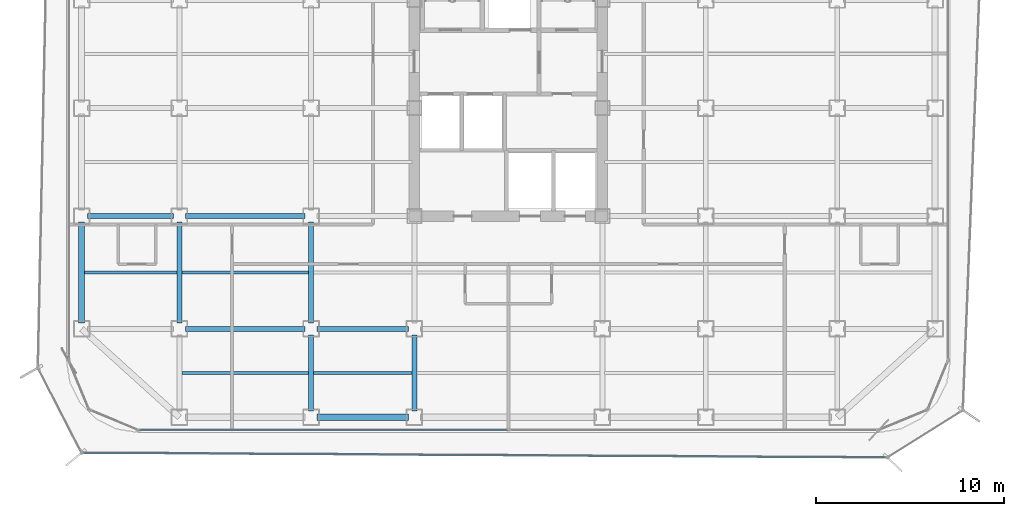
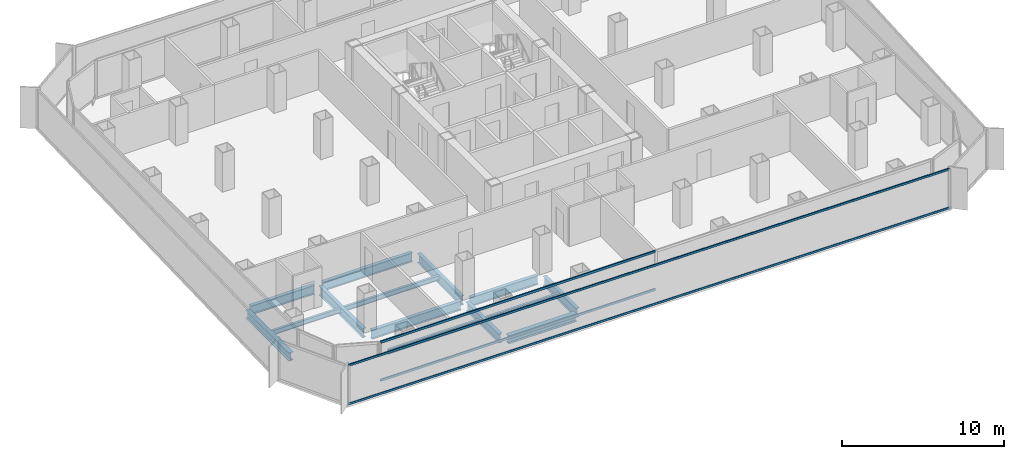
# One storey, part 3 of 21: 14 beams, 4 members, 2 elements without a shape of their own.
"""IFC4 building model written with IfcOpenShell, lengths in metres."""

from ifc_helpers import new_model, si_unit, direction, frame, origin, origin_2d, place, context, subcontext, project, spatial, hollow_rectangle, i_section, extrude, source, transform, mapped, material, layer, layer_set, material_profile, profile_set, type_object, element, aggregate, save


model = new_model("IFC4")

# Units and contexts
model_context = context("Model", 3, precision=1e-05, world=origin(), true_north=direction((0.0, 1.0)))
body_context = subcontext(model_context, "Body", "Model", "MODEL_VIEW")
ifc_project = project(units=[si_unit("LENGTHUNIT", "METRE"), si_unit("AREAUNIT", "SQUARE_METRE"), si_unit("VOLUMEUNIT", "CUBIC_METRE"), si_unit("PLANEANGLEUNIT", "RADIAN"), si_unit("MASSUNIT", "GRAM", prefix="KILO")], contexts=[model_context])

# Site, building, storey
site_placement = place(None, origin())
site = spatial("IfcSite", under=ifc_project, at=site_placement, CompositionType="ELEMENT")
building_placement = place(site_placement, origin())
building = spatial("IfcBuilding", under=site, at=building_placement, Name="Kolveth Station Tower", CompositionType="ELEMENT")
storey_placement = place(building_placement, frame((0.0, 0.0, 137.5)))
storey = spatial("IfcBuildingStorey", under=building, at=storey_placement, Name="L38", CompositionType="ELEMENT", Elevation=137.5)

# Beams
ifc_material_1 = material(Name="Steel S355", Category="steel")
ifc_material_profile_1 = material_profile(ifc_material_1, i_section(OverallWidth=0.323974609375, OverallDepth=0.611083984375, WebThickness=0.0126953125, FlangeThickness=0.01904296875, at=origin_2d()), Name="W610x155")
ifc_profile_set_1 = profile_set([ifc_material_profile_1], Name="Steel S355")
beam_type_1 = type_object("IfcBeamType", Name="Beam_SP2", PredefinedType="SPANDREL", material=ifc_profile_set_1)
shared_shape_1 = source(origin(), body_context, "Body", "SweptSolid", [
    extrude(i_section(OverallWidth=0.323974609375, OverallDepth=0.611083984375, WebThickness=0.0126953125, FlangeThickness=0.01904296875, at=origin_2d()), origin(), (0.0, 0.0, 1.0), 4.85986328125),
])
beam_1_placement = place(storey_placement, frame((13.320068359375, 0.800048828125, -0.555419921875), z_axis=(1.0, 0.0, 0.0), x_axis=(0.0, 1.0, 0.0)))
element("IfcBeam", 1, at=beam_1_placement, inside=storey, type_object=beam_type_1, Name="L38 Perimeter Spandrel BM-L38-PS-2", PredefinedType="SPANDREL", context=body_context, shape_type="MappedRepresentation", body=[
    mapped(shared_shape_1, transform((0.0, 0.0, 0.0), x_axis=(1.0, 0.0, 0.0), y_axis=(0.0, 1.0, 0.0), z_axis=(0.0, 0.0, 1.0), scale=1.0)),
])
shared_shape_2 = source(origin(), body_context, "Body", "SweptSolid", [
    extrude(i_section(OverallWidth=0.323974609375, OverallDepth=0.611083984375, WebThickness=0.0126953125, FlangeThickness=0.01904296875, at=origin_2d()), origin(), (0.0, 0.0, 1.0), 5.35986328125),
])
beam_2_placement = place(storey_placement, frame((0.800048828125, 5.820068359375, -0.555419921875), z_axis=(0.0, 1.0, 0.0), x_axis=(-1.0, 0.0, 0.0)))
element("IfcBeam", 2, at=beam_2_placement, inside=storey, type_object=beam_type_1, Name="L38 Perimeter Spandrel BM-L38-PW-1", PredefinedType="SPANDREL", context=body_context, shape_type="MappedRepresentation", body=[
    mapped(shared_shape_2, transform((0.0, 0.0, 0.0), x_axis=(1.0, 0.0, 0.0), y_axis=(0.0, 1.0, 0.0), z_axis=(0.0, 0.0, 1.0), scale=1.0)),
])
ifc_material_profile_2 = material_profile(ifc_material_1, i_section(OverallWidth=0.25390625, OverallDepth=0.68798828125, WebThickness=0.01318359375, FlangeThickness=0.02099609375, at=origin_2d()), Name="W690x152")
ifc_profile_set_2 = profile_set([ifc_material_profile_2], Name="Steel S355")
beam_type_2 = type_object("IfcBeamType", Name="Beam_B4", PredefinedType="BEAM", material=ifc_profile_set_2)
shared_shape_3 = source(origin(), body_context, "Body", "SweptSolid", [
    extrude(i_section(OverallWidth=0.25390625, OverallDepth=0.68798828125, WebThickness=0.01318359375, FlangeThickness=0.02099609375, at=origin_2d()), origin(), (0.0, 0.0, 1.0), 4.559814453125),
])
beam_3_placement = place(storey_placement, frame((1.1201171875, 11.5, -0.593994140625), z_axis=(1.0, 0.0, 0.0), x_axis=(0.0, 1.0, 0.0)))
element("IfcBeam", 3, at=beam_3_placement, inside=storey, type_object=beam_type_2, Name="L38 Primary Girder BM-L38-GY115-1", PredefinedType="BEAM", context=body_context, shape_type="MappedRepresentation", body=[
    mapped(shared_shape_3, transform((0.0, 0.0, 0.0), x_axis=(1.0, 0.0, 0.0), y_axis=(0.0, 1.0, 0.0), z_axis=(0.0, 0.0, 1.0), scale=1.0)),
])
shared_shape_4 = source(origin(), body_context, "Body", "SweptSolid", [
    extrude(i_section(OverallWidth=0.25390625, OverallDepth=0.68798828125, WebThickness=0.01318359375, FlangeThickness=0.02099609375, at=origin_2d()), origin(), (0.0, 0.0, 1.0), 6.35986328125),
])
for number, where, z_axis, x_axis, name in (
    (4, (6.320068359375, 5.5, -0.593994140625), (1.0, 0.0, 0.0), (0.0, 1.0, 0.0), "L38 Primary Girder BM-L38-GY55-2"),
    (5, (6.320068359375, 11.5, -0.593994140625), (1.0, 0.0, 0.0), (0.0, 1.0, 0.0), "L38 Primary Girder BM-L38-GY115-2"),
):
    element("IfcBeam", number, at=place(storey_placement, frame(where, z_axis=z_axis, x_axis=x_axis)), inside=storey, type_object=beam_type_2, Name=name, PredefinedType="BEAM", context=body_context, shape_type="MappedRepresentation", body=[
        mapped(shared_shape_4, transform((0.0, 0.0, 0.0), x_axis=(1.0, 0.0, 0.0), y_axis=(0.0, 1.0, 0.0), z_axis=(0.0, 0.0, 1.0), scale=1.0)),
    ])
shared_shape_5 = source(origin(), body_context, "Body", "SweptSolid", [
    extrude(i_section(OverallWidth=0.25390625, OverallDepth=0.68798828125, WebThickness=0.01318359375, FlangeThickness=0.02099609375, at=origin_2d()), origin(), (0.0, 0.0, 1.0), 4.85986328125),
])
beam_4_placement = place(storey_placement, frame((13.320068359375, 5.5, -0.593994140625), z_axis=(1.0, 0.0, 0.0), x_axis=(0.0, 1.0, 0.0)))
element("IfcBeam", 6, at=beam_4_placement, inside=storey, type_object=beam_type_2, Name="L38 Primary Girder BM-L38-GY55-3", PredefinedType="BEAM", context=body_context, shape_type="MappedRepresentation", body=[
    mapped(shared_shape_5, transform((0.0, 0.0, 0.0), x_axis=(1.0, 0.0, 0.0), y_axis=(0.0, 1.0, 0.0), z_axis=(0.0, 0.0, 1.0), scale=1.0)),
])
shared_shape_6 = source(origin(), body_context, "Body", "SweptSolid", [
    extrude(i_section(OverallWidth=0.25390625, OverallDepth=0.68798828125, WebThickness=0.01318359375, FlangeThickness=0.02099609375, at=origin_2d()), origin(), (0.0, 0.0, 1.0), 4.059814453125),
])
for number, where, z_axis, x_axis, name in (
    (7, (13.0, 1.1201171875, -0.593994140625), (0.0, 1.0, 0.0), (-1.0, 0.0, 0.0), "L38 Primary Girder BM-L38-GX130-1"),
    (8, (18.5, 1.1201171875, -0.593994140625), (0.0, 1.0, 0.0), (-1.0, 0.0, 0.0), "L38 Primary Girder BM-L38-GX185-1"),
):
    element("IfcBeam", number, at=place(storey_placement, frame(where, z_axis=z_axis, x_axis=x_axis)), inside=storey, type_object=beam_type_2, Name=name, PredefinedType="BEAM", context=body_context, shape_type="MappedRepresentation", body=[
        mapped(shared_shape_6, transform((0.0, 0.0, 0.0), x_axis=(1.0, 0.0, 0.0), y_axis=(0.0, 1.0, 0.0), z_axis=(0.0, 0.0, 1.0), scale=1.0)),
    ])
shared_shape_7 = source(origin(), body_context, "Body", "SweptSolid", [
    extrude(i_section(OverallWidth=0.25390625, OverallDepth=0.68798828125, WebThickness=0.01318359375, FlangeThickness=0.02099609375, at=origin_2d()), origin(), (0.0, 0.0, 1.0), 5.35986328125),
])
for number, where, z_axis, x_axis, name in (
    (9, (6.0, 5.820068359375, -0.593994140625), (0.0, 1.0, 0.0), (-1.0, 0.0, 0.0), "L38 Primary Girder BM-L38-GX60-2"),
    (10, (13.0, 5.820068359375, -0.593994140625), (0.0, 1.0, 0.0), (-1.0, 0.0, 0.0), "L38 Primary Girder BM-L38-GX130-2"),
):
    element("IfcBeam", number, at=place(storey_placement, frame(where, z_axis=z_axis, x_axis=x_axis)), inside=storey, type_object=beam_type_2, Name=name, PredefinedType="BEAM", context=body_context, shape_type="MappedRepresentation", body=[
        mapped(shared_shape_7, transform((0.0, 0.0, 0.0), x_axis=(1.0, 0.0, 0.0), y_axis=(0.0, 1.0, 0.0), z_axis=(0.0, 0.0, 1.0), scale=1.0)),
    ])
ifc_material_profile_3 = material_profile(ifc_material_1, i_section(OverallWidth=0.1708984375, OverallDepth=0.35205078125, WebThickness=0.0068359375, FlangeThickness=0.009765625, at=origin_2d()), Name="W360x44")
ifc_profile_set_3 = profile_set([ifc_material_profile_3], Name="Steel S355")
beam_type_3 = type_object("IfcBeamType", Name="Beam_J2", PredefinedType="JOIST", material=ifc_profile_set_3)
shared_shape_8 = source(origin(), body_context, "Body", "SweptSolid", [
    extrude(i_section(OverallWidth=0.1708984375, OverallDepth=0.35205078125, WebThickness=0.0068359375, FlangeThickness=0.009765625, at=origin_2d()), origin(), (0.0, 0.0, 1.0), 4.9150390625),
])
beam_5_placement = place(storey_placement, frame((0.9599609375, 8.5, -0.426025390625), z_axis=(1.0, 0.0, 0.0), x_axis=(0.0, 1.0, 0.0)))
element("IfcBeam", 11, at=beam_5_placement, inside=storey, type_object=beam_type_3, Name="L38 Secondary Joist JST-L38-1-2", PredefinedType="JOIST", context=body_context, shape_type="MappedRepresentation", body=[
    mapped(shared_shape_8, transform((0.0, 0.0, 0.0), x_axis=(1.0, 0.0, 0.0), y_axis=(0.0, 1.0, 0.0), z_axis=(0.0, 0.0, 1.0), scale=1.0)),
])
shared_shape_9 = source(origin(), body_context, "Body", "SweptSolid", [
    extrude(i_section(OverallWidth=0.1708984375, OverallDepth=0.35205078125, WebThickness=0.0068359375, FlangeThickness=0.009765625, at=origin_2d()), origin(), (0.0, 0.0, 1.0), 6.75),
])
for number, where, z_axis, x_axis, name in (
    (12, (6.125, 3.14990234375, -0.426025390625), (1.0, 0.0, 0.0), (0.0, 1.0, 0.0), "L38 Secondary Joist JST-L38-2-1"),
    (13, (6.125, 8.5, -0.426025390625), (1.0, 0.0, 0.0), (0.0, 1.0, 0.0), "L38 Secondary Joist JST-L38-2-2"),
):
    element("IfcBeam", number, at=place(storey_placement, frame(where, z_axis=z_axis, x_axis=x_axis)), inside=storey, type_object=beam_type_3, Name=name, PredefinedType="JOIST", context=body_context, shape_type="MappedRepresentation", body=[
        mapped(shared_shape_9, transform((0.0, 0.0, 0.0), x_axis=(1.0, 0.0, 0.0), y_axis=(0.0, 1.0, 0.0), z_axis=(0.0, 0.0, 1.0), scale=1.0)),
    ])
shared_shape_10 = source(origin(), body_context, "Body", "SweptSolid", [
    extrude(i_section(OverallWidth=0.1708984375, OverallDepth=0.35205078125, WebThickness=0.0068359375, FlangeThickness=0.009765625, at=origin_2d()), origin(), (0.0, 0.0, 1.0), 5.25),
])
beam_6_placement = place(storey_placement, frame((13.125, 3.14990234375, -0.426025390625), z_axis=(1.0, 0.0, 0.0), x_axis=(0.0, 1.0, 0.0)))
element("IfcBeam", 14, at=beam_6_placement, inside=storey, type_object=beam_type_3, Name="L38 Secondary Joist JST-L38-3-1", PredefinedType="JOIST", context=body_context, shape_type="MappedRepresentation", body=[
    mapped(shared_shape_10, transform((0.0, 0.0, 0.0), x_axis=(1.0, 0.0, 0.0), y_axis=(0.0, 1.0, 0.0), z_axis=(0.0, 0.0, 1.0), scale=1.0)),
])

# Curtain wall, members
ifc_material_2 = material(Name="Aluminium 6063-T6 and low-E dark glass", Category="aluminium")
ifc_layer_1 = layer(ifc_material_2, 0.18994140625)
ifc_layer_set_1 = layer_set([ifc_layer_1], Name="Aluminium 6063-T6 and low-E dark glass")
curtain_wall_type_1 = type_object("IfcCurtainWallType", Name="CurtainWall_CW-Z2", PredefinedType="NOTDEFINED", material=ifc_layer_set_1)
curtain_wall_1_placement = place(storey_placement, origin())
curtain_wall_1 = element("IfcCurtainWall", 15, at=curtain_wall_1_placement, inside=storey, type_object=curtain_wall_type_1, Name="L38 Inner Thermal Curtain Wall 12", PredefinedType="NOTDEFINED")
ifc_material_3 = material(Name="Black anodized aluminium 6063-T6", Category="aluminium")
ifc_material_profile_4 = material_profile(ifc_material_3, hollow_rectangle(XDim=0.080078125, YDim=0.169921875, WallThickness=0.0048828125, at=origin_2d()), Name="ALU-80x170x5")
ifc_profile_set_4 = profile_set([ifc_material_profile_4], Name="Black anodized aluminium 6063-T6")
member_type_1 = type_object("IfcMemberType", Name="Transom_TR2", PredefinedType="USERDEFINED", material=ifc_profile_set_4)
shared_shape_11 = source(origin(), body_context, "Body", "SweptSolid", [
    extrude(hollow_rectangle(XDim=0.080078125, YDim=0.169921875, WallThickness=0.0048828125, at=origin_2d()), origin(), (0.0, 0.0, 1.0), 19.580078125),
])
member_1_placement = place(storey_placement, frame((3.8798828125, 0.1201171875, 0.0400390625), z_axis=(1.0, 0.0, 0.0), x_axis=(0.0, 1.0, 0.0)))
member_1 = element("IfcMember", 16, at=member_1_placement, type_object=member_type_1, Name="CW-Z2 transom 1.1", ObjectType="TRANSOM", PredefinedType="USERDEFINED", context=body_context, shape_type="MappedRepresentation", body=[
    mapped(shared_shape_11, transform((0.0, 0.0, 0.0), x_axis=(1.0, 0.0, 0.0), y_axis=(0.0, 1.0, 0.0), z_axis=(0.0, 0.0, 1.0), scale=1.0)),
])
member_2_placement = place(storey_placement, frame((3.8798828125, 0.1201171875, 2.909912109375), z_axis=(1.0, 0.0, 0.0), x_axis=(0.0, 1.0, 0.0)))
member_2 = element("IfcMember", 17, at=member_2_placement, type_object=member_type_1, Name="CW-Z2 transom 1.2", ObjectType="TRANSOM", PredefinedType="USERDEFINED", context=body_context, shape_type="MappedRepresentation", body=[
    mapped(shared_shape_11, transform((0.0, 0.0, 0.0), x_axis=(1.0, 0.0, 0.0), y_axis=(0.0, 1.0, 0.0), z_axis=(0.0, 0.0, 1.0), scale=1.0)),
])
aggregate(curtain_wall_1, [member_1, member_2])

ifc_material_4 = material(Name="Black anodized aluminium 6063-T6 and dark solar glass", Category="aluminium")
ifc_layer_2 = layer(ifc_material_4, 0.159912109375)
ifc_layer_set_2 = layer_set([ifc_layer_2], Name="Black anodized aluminium 6063-T6 and dark solar glass")
curtain_wall_type_2 = type_object("IfcCurtainWallType", Name="OUTER SKIN CW-OS", PredefinedType="NOTDEFINED", material=ifc_layer_set_2)
curtain_wall_2_placement = place(storey_placement, origin())
curtain_wall_2 = element("IfcCurtainWall", 18, at=curtain_wall_2_placement, inside=storey, type_object=curtain_wall_type_2, Name="L38 Outer Ventilated Skin Curtain Wall 8", PredefinedType="NOTDEFINED")
ifc_material_profile_5 = material_profile(ifc_material_3, hollow_rectangle(XDim=0.080078125, YDim=0.14990234375, WallThickness=0.0048828125, at=origin_2d()), Name="ALU-80x150x5")
ifc_profile_set_5 = profile_set([ifc_material_profile_5], Name="Black anodized aluminium 6063-T6")
member_type_2 = type_object("IfcMemberType", Name="Transom_TR-OS", PredefinedType="USERDEFINED", material=ifc_profile_set_5)
shared_shape_12 = source(origin(), body_context, "Body", "SweptSolid", [
    extrude(hollow_rectangle(XDim=0.080078125, YDim=0.14990234375, WallThickness=0.0048828125, at=origin_2d()), origin(), (0.0, 0.0, 1.0), 42.6884765625),
])
member_3_placement = place(storey_placement, frame((0.8857421875, -1.089111328125, 0.0400390625), z_axis=(0.999982582262, -0.00590213284, 0.0), x_axis=(0.00590213284, 0.999982582262, 0.0)))
member_3 = element("IfcMember", 19, at=member_3_placement, type_object=member_type_2, Name="CW-OS transom 1.1", ObjectType="TRANSOM", PredefinedType="USERDEFINED", context=body_context, shape_type="MappedRepresentation", body=[
    mapped(shared_shape_12, transform((0.0, 0.0, 0.0), x_axis=(1.0, 0.0, 0.0), y_axis=(0.0, 1.0, 0.0), z_axis=(0.0, 0.0, 1.0), scale=1.0)),
])
member_4_placement = place(storey_placement, frame((0.8857421875, -1.089111328125, 2.949951171875), z_axis=(0.999982582262, -0.00590213284, 0.0), x_axis=(0.00590213284, 0.999982582262, 0.0)))
member_4 = element("IfcMember", 20, at=member_4_placement, type_object=member_type_2, Name="CW-OS transom 1.2", ObjectType="TRANSOM", PredefinedType="USERDEFINED", context=body_context, shape_type="MappedRepresentation", body=[
    mapped(shared_shape_12, transform((0.0, 0.0, 0.0), x_axis=(1.0, 0.0, 0.0), y_axis=(0.0, 1.0, 0.0), z_axis=(0.0, 0.0, 1.0), scale=1.0)),
])
aggregate(curtain_wall_2, [member_3, member_4])

save(model, "model.ifc")
